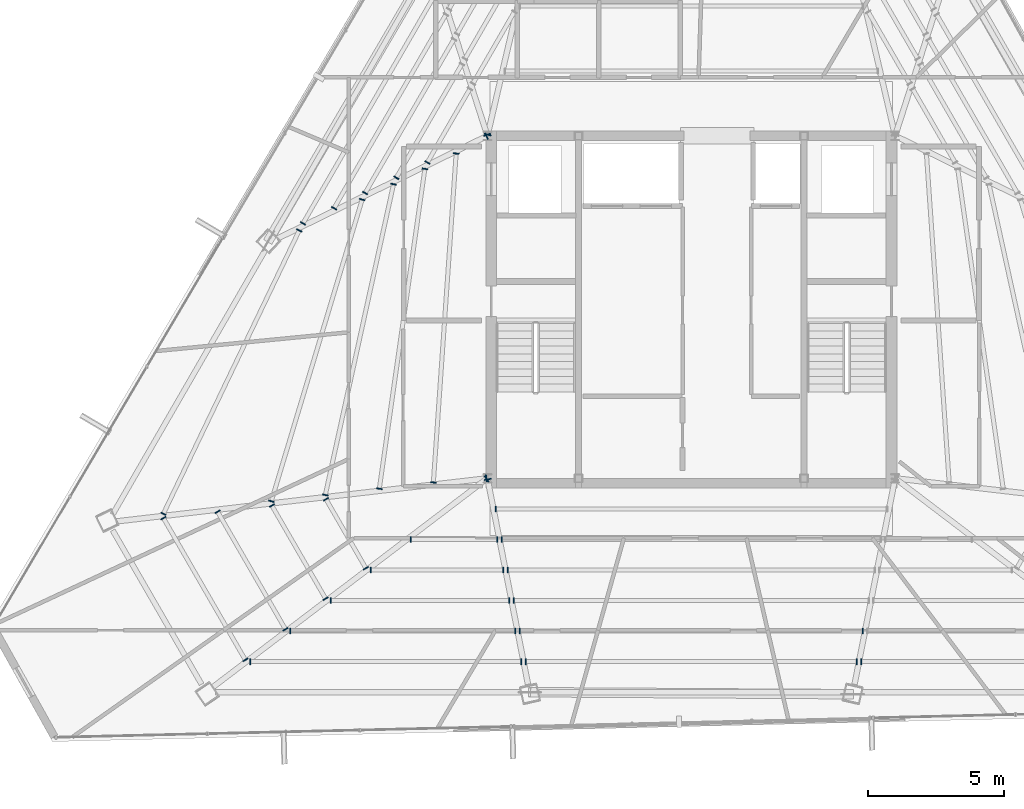
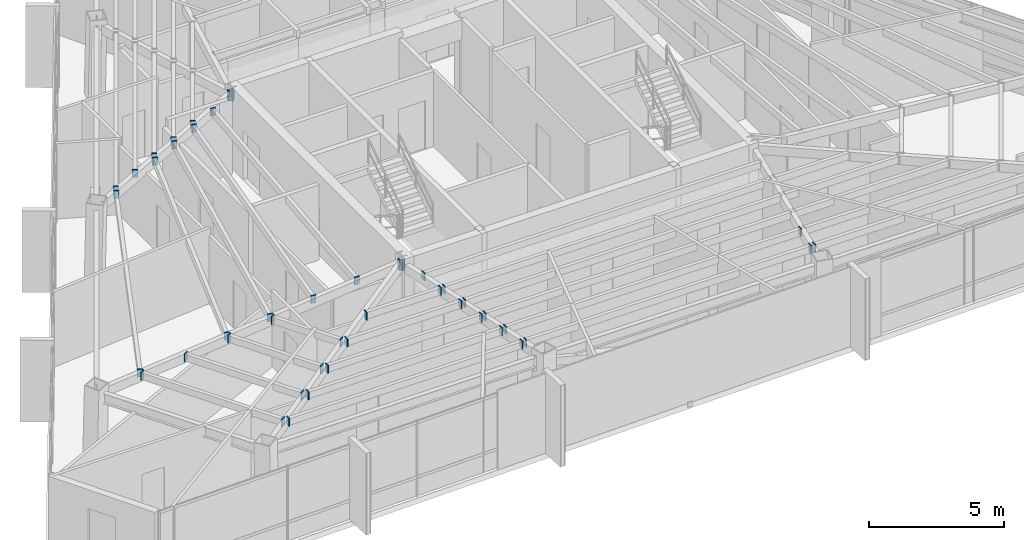
# One storey, part 36 of 45: 48 plates.
"""IFC4 building model written with IfcOpenShell, lengths in metres."""

import ifcopenshell
import ifcopenshell.guid

model = None  # the IFC model being written
_history = None  # IfcOwnerHistory: only IFC2X3 demands one
_inside = {}  # id of a spatial element -> (the spatial element, [elements in it])
_under = {}  # id of a project, library or spatial element -> (it, [spatial elements below it])
_declared = {}  # id of a project -> (the project, [libraries it declares])
_typed = {}  # id of a type object -> (the type object, [elements of that type])
_made_of = {}  # id of a material, layer set ... -> (it, [elements and type objects made of it])


def new_model(schema):
    """Start an empty IFC model of exactly this schema.

    Asked for "IFC4X3", IfcOpenShell would pick the latest addendum, in which some entities
    have other attributes; the version numbers below select the first issue.
    IFC2X3 requires an IfcOwnerHistory on every rooted entity: one is made here for all.
    """
    global model, _history
    if schema == "IFC4X3":
        model = ifcopenshell.file(schema_version=(4, 3, 0, 0))
    else:
        model = ifcopenshell.file(schema=schema)
    _inside.clear()
    _under.clear()
    _declared.clear()
    _typed.clear()
    _made_of.clear()
    _history = None
    if model.schema == "IFC2X3":
        org = make("IfcOrganization", Name="unknown")
        user = make(
            "IfcPersonAndOrganization",
            ThePerson=make("IfcPerson", FamilyName="unknown"),
            TheOrganization=org,
        )
        app = make(
            "IfcApplication",
            ApplicationDeveloper=org,
            Version="unknown",
            ApplicationFullName="unknown",
            ApplicationIdentifier="unknown",
        )
        _history = make(
            "IfcOwnerHistory",
            OwningUser=user,
            OwningApplication=app,
            ChangeAction="ADDED",
            CreationDate=0,
        )
    return model


def make(cls, **values):
    """One entity of the class cls with the attributes given. An attribute that is None is left unset."""
    return model.create_entity(
        cls, **{name: value for name, value in values.items() if value is not None}
    )


def rooted(cls, **values):
    """An entity with a GlobalId (a new one), such as an element, a storey or a relation."""
    return make(cls, GlobalId=ifcopenshell.guid.new(), OwnerHistory=_history, **values)


def si_unit(unit_type, name, prefix=None):
    """IfcSIUnit, for example si_unit("LENGTHUNIT", "METRE", prefix="MILLI")."""
    return make("IfcSIUnit", UnitType=unit_type, Prefix=prefix, Name=name)


def assignment(units):
    """IfcUnitAssignment: the units of a project."""
    return None if units is None else make("IfcUnitAssignment", Units=units)


def point(xyz):
    """IfcCartesianPoint."""
    return None if xyz is None else make("IfcCartesianPoint", Coordinates=xyz)


def direction(xyz):
    """IfcDirection."""
    return None if xyz is None else make("IfcDirection", DirectionRatios=xyz)


def frame(location, z_axis=None, x_axis=None):
    """IfcAxis2Placement3D, a coordinate frame: its origin and axes. An axis left out is left unset."""
    return make(
        "IfcAxis2Placement3D",
        Location=point(location),
        Axis=direction(z_axis),
        RefDirection=direction(x_axis),
    )


def frame_2d(location, x_axis=None):
    """IfcAxis2Placement2D, a coordinate frame in the plane: its origin and x axis."""
    return make(
        "IfcAxis2Placement2D", Location=point(location), RefDirection=direction(x_axis)
    )


def origin():
    """The frame at (0, 0, 0) with its axes left unset."""
    return frame((0.0, 0.0, 0.0))


def origin_2d():
    """The frame at (0, 0) in the plane with its x axis left unset."""
    return frame_2d((0.0, 0.0))


def place(relative_to, where):
    """IfcLocalPlacement: puts the frame where relative to a parent placement (None: the world)."""
    return make(
        "IfcLocalPlacement", PlacementRelTo=relative_to, RelativePlacement=where
    )


def context(
    kind, dimensions, precision=None, world=None, true_north=None, identifier=None
):
    """IfcGeometricRepresentationContext, for example the 3D "Model" context."""
    return make(
        "IfcGeometricRepresentationContext",
        ContextIdentifier=identifier,
        ContextType=kind,
        CoordinateSpaceDimension=dimensions,
        Precision=precision,
        WorldCoordinateSystem=world,
        TrueNorth=true_north,
    )


def subcontext(parent, identifier, kind, view, scale=None):
    """IfcGeometricRepresentationSubContext, for example "Body" below "Model"."""
    return make(
        "IfcGeometricRepresentationSubContext",
        ContextIdentifier=identifier,
        ContextType=kind,
        ParentContext=parent,
        TargetScale=scale,
        TargetView=view,
    )


def project(units=None, contexts=None):
    """IfcProject with its units and contexts."""
    return rooted(
        "IfcProject",
        Name="project",
        RepresentationContexts=contexts,
        UnitsInContext=assignment(units),
    )


def spatial(cls, under=None, at=None, **own):
    """A site, building, storey or space (cls), placed at a placement, below another one or the project."""
    s = rooted(cls, ObjectPlacement=at, **own)
    if under is not None:
        _under.setdefault(under.id(), (under, []))[1].append(s)
    return s


def profile(cls, at=None, kind="AREA", **sizes):
    """A parametric profile (cls). Its sizes go by their IFC names, for example OverallWidth=200.0."""
    return make(cls, ProfileType=kind, Position=at, **sizes)


def rectangle(**sizes):
    """IfcRectangleProfileDef."""
    return profile("IfcRectangleProfileDef", **sizes)


def extrude(swept, where, along, depth):
    """IfcExtrudedAreaSolid: the profile swept, set in the frame where, extruded along a direction by depth."""
    return make(
        "IfcExtrudedAreaSolid",
        SweptArea=swept,
        Position=where,
        ExtrudedDirection=direction(along),
        Depth=depth,
    )


def shape(context_of_items, identifier, shape_type, items):
    """IfcShapeRepresentation: the items that make up one representation, for example the "Body"."""
    return make(
        "IfcShapeRepresentation",
        ContextOfItems=context_of_items,
        RepresentationIdentifier=identifier,
        RepresentationType=shape_type,
        Items=items,
    )


def source(mapping_origin, context_of_items, identifier, shape_type, items):
    """IfcRepresentationMap: a shape defined once, which mapped items show again and again."""
    return make(
        "IfcRepresentationMap",
        MappingOrigin=mapping_origin,
        MappedRepresentation=shape(context_of_items, identifier, shape_type, items),
    )


def transform(
    local_origin,
    x_axis=None,
    y_axis=None,
    z_axis=None,
    scale=None,
    scale2=None,
    scale3=None,
    uniform=True,
):
    """IfcCartesianTransformationOperator3D, or its non-uniform kind. x_axis, y_axis, z_axis: its Axis1, 2, 3."""
    if uniform:
        return make(
            "IfcCartesianTransformationOperator3D",
            Axis1=direction(x_axis),
            Axis2=direction(y_axis),
            LocalOrigin=point(local_origin),
            Scale=scale,
            Axis3=direction(z_axis),
        )
    return make(
        "IfcCartesianTransformationOperator3DnonUniform",
        Axis1=direction(x_axis),
        Axis2=direction(y_axis),
        LocalOrigin=point(local_origin),
        Scale=scale,
        Axis3=direction(z_axis),
        Scale2=scale2,
        Scale3=scale3,
    )


def mapped(mapping_source, mapping_target):
    """IfcMappedItem: shows the shape of a source again, moved by a transform."""
    return make(
        "IfcMappedItem", MappingSource=mapping_source, MappingTarget=mapping_target
    )


def material(Name=None, Category=None):
    """IfcMaterial."""
    return make("IfcMaterial", Name=Name, Category=Category)


def layer(
    of_material, thickness, ventilated=None, Name=None, Category=None, Priority=None
):
    """IfcMaterialLayer: one layer of a wall or slab, of a material (None: an air gap)."""
    return make(
        "IfcMaterialLayer",
        Material=of_material,
        LayerThickness=thickness,
        IsVentilated=ventilated,
        Name=Name,
        Category=Category,
        Priority=Priority,
    )


def layer_set(layers, Name=None):
    """IfcMaterialLayerSet."""
    return make("IfcMaterialLayerSet", MaterialLayers=layers, LayerSetName=Name)


def made_of(thing, what):
    """Note that an element or type object is made of a material, layer set ...; save() writes the relation."""
    if what is not None:
        _made_of.setdefault(what.id(), (what, []))[1].append(thing)
    return thing


def type_object(cls, material=None, **own):
    """A type object (cls), such as IfcWallType, which elements share."""
    return made_of(rooted(cls, **own), material)


def type_shapes(of_type, sources):
    """Give a type object the sources (RepresentationMaps) that its elements show as mapped items."""
    of_type.RepresentationMaps = sources


def element(
    cls,
    number,
    at=None,
    inside=None,
    cuts=None,
    type_object=None,
    material=None,
    context=None,
    identifier="Body",
    shape_type=None,
    held_by="IfcProductDefinitionShape",
    body=None,
    shapes=None,
    **own,
):
    """One element of the class cls, such as IfcWall. Its Tag is "e" and its number.

    at: its placement. inside: the storey or other place that contains it. cuts: it is an
    opening in that element (IfcRelVoidsElement). A single representation is given by context,
    identifier, shape_type and body (its items); several are given by shapes. held_by: the class
    of the entity that holds the representations. save() writes the other relations.
    """
    e = rooted(cls, Tag="e%d" % number, ObjectPlacement=at, **own)
    if body is not None:
        shapes = [shape(context, identifier, shape_type, body)]
    if shapes is not None:
        e.Representation = make(held_by, Representations=shapes)
    if inside is not None:
        _inside.setdefault(inside.id(), (inside, []))[1].append(e)
    if cuts is not None:
        rooted(
            "IfcRelVoidsElement", RelatingBuildingElement=cuts, RelatedOpeningElement=e
        )
    if type_object is not None:
        _typed.setdefault(type_object.id(), (type_object, []))[1].append(e)
    return made_of(e, material)


def aggregate(whole, parts):
    """IfcRelAggregates: a whole, such as a stair, and the parts it consists of."""
    return rooted("IfcRelAggregates", RelatingObject=whole, RelatedObjects=parts)


def save(model, path):
    """Write the relations noted so far, then the file.

    IfcRelAggregates (storeys below a building ...), IfcRelContainedInSpatialStructure (elements
    in a storey), IfcRelDefinesByType, IfcRelAssociatesMaterial and IfcRelDeclares: one each for
    every whole, place, type object, material and project.
    """
    for whole, parts in _under.values():
        aggregate(whole, parts)
    for where, things in _inside.values():
        rooted(
            "IfcRelContainedInSpatialStructure",
            RelatedElements=things,
            RelatingStructure=where,
        )
    for kind, things in _typed.values():
        rooted("IfcRelDefinesByType", RelatedObjects=things, RelatingType=kind)
    for what, things in _made_of.values():
        rooted("IfcRelAssociatesMaterial", RelatedObjects=things, RelatingMaterial=what)
    for by, libraries in _declared.values():
        rooted("IfcRelDeclares", RelatingContext=by, RelatedDefinitions=libraries)
    model.write(path)


model = new_model("IFC4")

# Units and contexts
model_context = context("Model", 3, precision=1e-05, world=origin(), true_north=direction((0.0, 1.0)))
body_context = subcontext(model_context, "Body", "Model", "MODEL_VIEW")
ifc_project = project(units=[si_unit("LENGTHUNIT", "METRE"), si_unit("AREAUNIT", "SQUARE_METRE"), si_unit("VOLUMEUNIT", "CUBIC_METRE"), si_unit("PLANEANGLEUNIT", "RADIAN"), si_unit("MASSUNIT", "GRAM", prefix="KILO")], contexts=[model_context])

# Site, building, storey
site_placement = place(None, origin())
site = spatial("IfcSite", under=ifc_project, at=site_placement, CompositionType="ELEMENT")
building_placement = place(site_placement, origin())
building = spatial("IfcBuilding", under=site, at=building_placement, Name="Caelisora Broadcast Tower", CompositionType="ELEMENT")
storey_placement = place(building_placement, frame((0.0, 0.0, 262.699951171875)))
storey = spatial("IfcBuildingStorey", under=building, at=storey_placement, Name="L69", CompositionType="ELEMENT", Elevation=262.699951171875)

# Plates
ifc_material = material(Name="Steel Grade 350 L15 (AS/NZS 3678)", Category="steel")
ifc_layer = layer(ifc_material, 0.0400390625, Name="Steel Grade 350 L15 (AS/NZS 3678)")
ifc_layer_set = layer_set([ifc_layer], Name="Steel Grade 350 L15 (AS/NZS 3678)")
plate_type = type_object("IfcPlateType", Name="GP04", PredefinedType="USERDEFINED", material=ifc_layer_set)
shared_shape_1 = source(origin(), body_context, "Body", "SweptSolid", [
    extrude(rectangle(XDim=0.260009765625, YDim=0.0400390625, at=origin_2d()), origin(), (0.0, 0.0, 1.0), 0.4599609375),
])
for number, where, z_axis, x_axis, name in (
    (1, (30.509033203125, 30.0390625, 2.969970703125), (0.0, 0.0, 1.0), (-0.973896791711, 0.226991275371, 0.0), "L69 gusset plate GP04 (ND-RAD-L69-02)"),
    (2, (30.48779296875, 30.0380859375, 2.969970703125), (0.0, 0.0, 1.0), (-0.951862260753, -0.306526078098, 0.0), "L69 gusset plate GP04 (ND-RAD-L69-03)"),
    (3, (30.464111328125, 29.982421875, 2.969970703125), (0.0, 0.0, 1.0), (0.439468903432, -0.898257804261, 0.0), "L69 gusset plate GP04 (ND-RAD-L69-04)"),
    (4, (30.460205078125, 17.3955078125, 2.969970703125), (0.0, 0.0, 1.0), (0.115457263478, -0.993312448482, 0.0), "L69 gusset plate GP04 (ND-RAD-L69-05)"),
    (5, (30.46826171875, 17.375732421875, 2.969970703125), (0.0, 0.0, 1.0), (0.605432907381, -0.795896346681, 0.0), "L69 gusset plate GP04 (ND-RAD-L69-06)"),
    (6, (30.5078125, 17.36083984375, 2.969970703125), (0.0, 0.0, 1.0), (0.981124283255, 0.193378232506, 0.0), "L69 gusset plate GP04 (ND-RAD-L69-07)"),
):
    element("IfcPlate", number, at=place(storey_placement, frame(where, z_axis=z_axis, x_axis=x_axis)), inside=storey, type_object=plate_type, Name=name, ObjectType="GUSSET PLATE", PredefinedType="USERDEFINED", context=body_context, shape_type="MappedRepresentation", body=[
        mapped(shared_shape_1, transform((0.0, 0.0, 0.0), scale=1.0)),
    ])
shared_shape_2 = source(origin(), body_context, "Body", "SweptSolid", [
    extrude(rectangle(XDim=0.2099609375, YDim=0.0400390625, at=origin_2d()), origin(), (0.0, 0.0, 1.0), 0.360107421875),
])
type_shapes(plate_type, [shared_shape_1, shared_shape_2])
for number, where, z_axis, x_axis, name in (
    (7, (28.290283203125, 29.01611328125, 3.06982421875), (0.0, 0.0, 1.0), (0.866025403784, -0.5, 0.0), "L69 gusset plate GP04 (ND-SB-L69-012B)"),
    (8, (27.146484375, 28.45654296875, 3.06982421875), (0.0, 0.0, 1.0), (0.866025403784, -0.5, 0.0), "L69 gusset plate GP04 (ND-SB-L69-013B)"),
    (9, (26.002685546875, 27.897216796875, 3.06982421875), (0.0, 0.0, 1.0), (0.866025403784, -0.5, 0.0), "L69 gusset plate GP04 (ND-SB-L69-014B)"),
    (10, (24.85888671875, 27.33740234375, 3.06982421875), (0.0, 0.0, 1.0), (0.866025403784, -0.5, 0.0), "L69 gusset plate GP04 (ND-SB-L69-015B)"),
    (11, (23.715087890625, 26.778076171875, 3.06982421875), (0.0, 0.0, 1.0), (0.866025403784, -0.5, 0.0), "L69 gusset plate GP04 (ND-SB-L69-016B)"),
    (12, (29.349853515625, 29.34814453125, 3.06982421875), (0.0, 0.0, 1.0), (0.997612506361, -0.069060025714, 0.0), "L69 gusset plate GP04 (ND-SB-L69-017A)"),
    (13, (28.51171875, 17.246826171875, 3.06982421875), (0.0, 0.0, 1.0), (0.997612506361, -0.069060025714, 0.0), "L69 gusset plate GP04 (ND-SB-L69-017B)"),
    (14, (28.198486328125, 28.783935546875, 3.06982421875), (0.0, 0.0, 1.0), (0.990023657717, -0.140901231938, 0.0), "L69 gusset plate GP04 (ND-SB-L69-018A)"),
    (15, (26.523681640625, 17.016357421875, 3.06982421875), (0.0, 0.0, 1.0), (0.990023657717, -0.140901231938, 0.0), "L69 gusset plate GP04 (ND-SB-L69-018B)"),
    (16, (27.0458984375, 28.218994140625, 3.06982421875), (0.0, 0.0, 1.0), (0.9767471756, -0.214394391152, 0.0), "L69 gusset plate GP04 (ND-SB-L69-019A)"),
    (17, (24.53662109375, 16.7861328125, 3.06982421875), (0.0, 0.0, 1.0), (0.9767471756, -0.214394391152, 0.0), "L69 gusset plate GP04 (ND-SB-L69-019B)"),
    (18, (25.89208984375, 27.6533203125, 3.06982421875), (0.0, 0.0, 1.0), (0.957521046483, -0.288363391474, 0.0), "L69 gusset plate GP04 (ND-SB-L69-020A)"),
    (19, (22.5498046875, 16.555908203125, 3.06982421875), (0.0, 0.0, 1.0), (0.957521046483, -0.288363391474, 0.0), "L69 gusset plate GP04 (ND-SB-L69-020B)"),
    (20, (23.5771484375, 26.51806640625, 3.06982421875), (0.0, 0.0, 1.0), (0.901681645086, -0.432400521409, 0.0), "L69 gusset plate GP04 (ND-SB-L69-021A)"),
    (21, (18.57861328125, 16.09619140625, 3.06982421875), (0.0, 0.0, 1.0), (0.901681645086, -0.432400521409, 0.0), "L69 gusset plate GP04 (ND-SB-L69-021B)"),
    (22, (24.561767578125, 16.630859375, 3.06982421875), (0.0, 0.0, 1.0), (0.866025403784, 0.5, 0.0), "L69 gusset plate GP04 (ND-SB-L69-022A)"),
    (23, (26.0263671875, 14.093994140625, 3.06982421875), (0.0, 0.0, 1.0), (0.866025403784, 0.5, 0.0), "L69 gusset plate GP04 (ND-SB-L69-022B)"),
    (24, (22.568115234375, 16.399169921875, 3.06982421875), (0.0, 0.0, 1.0), (0.866025403784, 0.5, 0.0), "L69 gusset plate GP04 (ND-SB-L69-023A)"),
    (25, (24.548095703125, 12.9697265625, 3.06982421875), (0.0, 0.0, 1.0), (0.866025403784, 0.5, 0.0), "L69 gusset plate GP04 (ND-SB-L69-023B)"),
    (26, (20.57421875, 16.16748046875, 3.06982421875), (0.0, 0.0, 1.0), (0.866025403784, 0.5, 0.0), "L69 gusset plate GP04 (ND-SB-L69-024A)"),
    (27, (23.069580078125, 11.84521484375, 3.06982421875), (0.0, 0.0, 1.0), (0.866025403784, 0.5, 0.0), "L69 gusset plate GP04 (ND-SB-L69-024B)"),
    (28, (18.58056640625, 15.93603515625, 3.06982421875), (0.0, 0.0, 1.0), (0.866025403784, 0.5, 0.0), "L69 gusset plate GP04 (ND-SB-L69-025A)"),
    (29, (21.591552734375, 10.720703125, 3.06982421875), (0.0, 0.0, 1.0), (0.866025403784, 0.5, 0.0), "L69 gusset plate GP04 (ND-SB-L69-025B)"),
    (30, (27.685791015625, 15.151123046875, 3.06982421875), (0.0, 0.0, 1.0), (0.0, 1.0, 0.0), "L69 gusset plate GP04 (ND-SB-L69-026A)"),
    (31, (30.8642578125, 15.151123046875, 3.06982421875), (0.0, 0.0, 1.0), (0.0, 1.0, 0.0), "L69 gusset plate GP04 (ND-SB-L69-026B)"),
    (32, (26.20751953125, 14.026611328125, 3.06982421875), (0.0, 0.0, 1.0), (0.0, 1.0, 0.0), "L69 gusset plate GP04 (ND-SB-L69-027A)"),
    (33, (31.085693359375, 14.026611328125, 3.06982421875), (0.0, 0.0, 1.0), (0.0, 1.0, 0.0), "L69 gusset plate GP04 (ND-SB-L69-027B)"),
    (34, (24.72900390625, 12.90234375, 3.06982421875), (0.0, 0.0, 1.0), (0.0, 1.0, 0.0), "L69 gusset plate GP04 (ND-SB-L69-028A)"),
    (35, (31.30712890625, 12.90234375, 3.06982421875), (0.0, 0.0, 1.0), (0.0, 1.0, 0.0), "L69 gusset plate GP04 (ND-SB-L69-028B)"),
    (36, (23.250732421875, 11.77783203125, 3.06982421875), (0.0, 0.0, 1.0), (0.0, 1.0, 0.0), "L69 gusset plate GP04 (ND-SB-L69-029A)"),
    (37, (31.52880859375, 11.77783203125, 3.06982421875), (0.0, 0.0, 1.0), (0.0, 1.0, 0.0), "L69 gusset plate GP04 (ND-SB-L69-029B)"),
    (38, (21.772705078125, 10.6533203125, 3.06982421875), (0.0, 0.0, 1.0), (0.0, 1.0, 0.0), "L69 gusset plate GP04 (ND-SB-L69-030A)"),
    (39, (31.750244140625, 10.6533203125, 3.06982421875), (0.0, 0.0, 1.0), (0.0, 1.0, 0.0), "L69 gusset plate GP04 (ND-SB-L69-030B)"),
    (40, (30.80029296875, 16.275634765625, 3.06982421875), (0.0, 0.0, 1.0), (0.0, 1.0, 0.0), "L69 gusset plate GP04 (ND-SB-L69-031A)"),
    (41, (31.02197265625, 15.151123046875, 3.06982421875), (0.0, 0.0, 1.0), (0.0, 1.0, 0.0), "L69 gusset plate GP04 (ND-SB-L69-032A)"),
    (42, (31.243408203125, 14.026611328125, 3.06982421875), (0.0, 0.0, 1.0), (0.0, 1.0, 0.0), "L69 gusset plate GP04 (ND-SB-L69-033A)"),
    (43, (31.465087890625, 12.90234375, 3.06982421875), (0.0, 0.0, 1.0), (0.0, 1.0, 0.0), "L69 gusset plate GP04 (ND-SB-L69-034A)"),
    (44, (31.6865234375, 11.77783203125, 3.06982421875), (0.0, 0.0, 1.0), (0.0, 1.0, 0.0), "L69 gusset plate GP04 (ND-SB-L69-035A)"),
    (45, (44.3134765625, 11.77783203125, 3.06982421875), (0.0, 0.0, 1.0), (0.0, 1.0, 0.0), "L69 gusset plate GP04 (ND-SB-L69-035B)"),
    (46, (31.908203125, 10.6533203125, 3.06982421875), (0.0, 0.0, 1.0), (0.0, 1.0, 0.0), "L69 gusset plate GP04 (ND-SB-L69-036A)"),
    (47, (44.091796875, 10.6533203125, 3.06982421875), (0.0, 0.0, 1.0), (0.0, 1.0, 0.0), "L69 gusset plate GP04 (ND-SB-L69-036B)"),
    (48, (44.249755859375, 10.6533203125, 3.06982421875), (0.0, 0.0, 1.0), (0.0, 1.0, 0.0), "L69 gusset plate GP04 (ND-SB-L69-041A)"),
):
    element("IfcPlate", number, at=place(storey_placement, frame(where, z_axis=z_axis, x_axis=x_axis)), inside=storey, type_object=plate_type, Name=name, ObjectType="GUSSET PLATE", PredefinedType="USERDEFINED", context=body_context, shape_type="MappedRepresentation", body=[
        mapped(shared_shape_2, transform((0.0, 0.0, 0.0), scale=1.0)),
    ])

save(model, "model.ifc")
